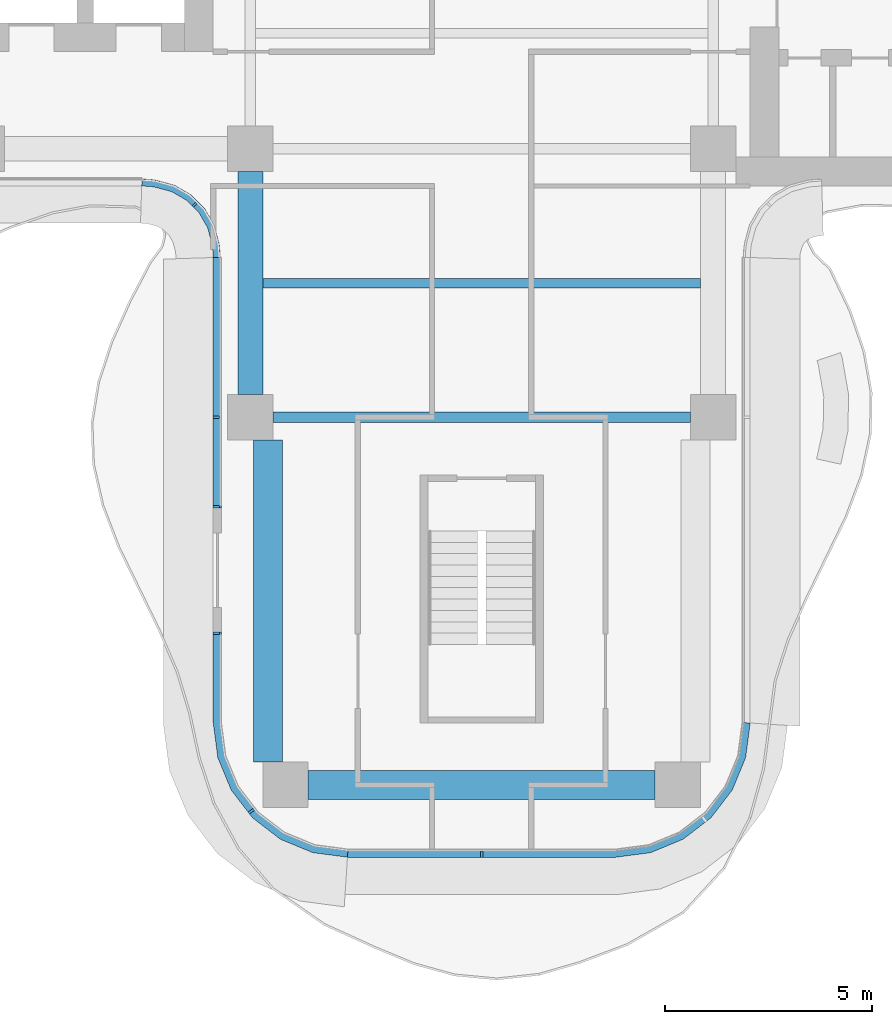
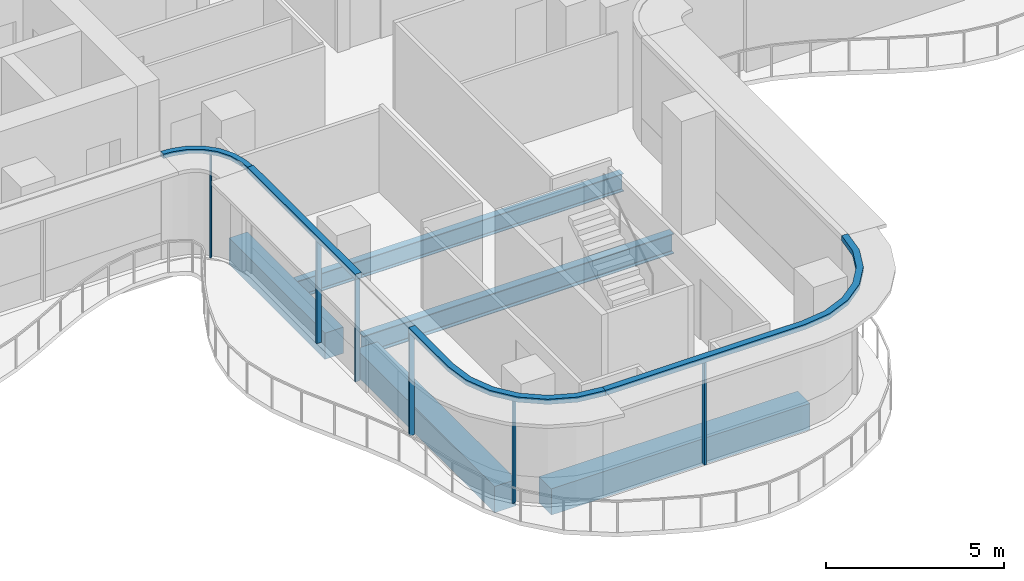
# One storey, part 2 of 16: 10 members, 5 beams, 4 elements without a shape of their own.
"""IFC4 building model written with IfcOpenShell, lengths in metres."""

from ifc_helpers import new_model, si_unit, direction, frame, origin, origin_2d, place, context, subcontext, project, spatial, polyline, rectangle, i_section, outline, extrude, source, transform, mapped, material, layer, layer_set, material_profile, profile_set, type_object, element, aggregate, save


model = new_model("IFC4")

# Units and contexts
model_context = context("Model", 3, precision=1e-05, world=origin(), true_north=direction((0.0, 1.0)))
body_context = subcontext(model_context, "Body", "Model", "MODEL_VIEW")
ifc_project = project(units=[si_unit("LENGTHUNIT", "METRE"), si_unit("AREAUNIT", "SQUARE_METRE"), si_unit("VOLUMEUNIT", "CUBIC_METRE"), si_unit("PLANEANGLEUNIT", "RADIAN"), si_unit("MASSUNIT", "GRAM", prefix="KILO")], contexts=[model_context])

# Site, building, storey
site_placement = place(None, origin())
site = spatial("IfcSite", under=ifc_project, at=site_placement, CompositionType="ELEMENT")
building_placement = place(site_placement, origin())
building = spatial("IfcBuilding", under=site, at=building_placement, Name="Trellis Farm Tower", CompositionType="ELEMENT")
storey_placement = place(building_placement, frame((0.0, 0.0, 248.0)))
storey = spatial("IfcBuildingStorey", under=building, at=storey_placement, Name="L55", CompositionType="ELEMENT", Elevation=248.0)

# Beams
ifc_material_1 = material(Name="Steel S355", Category="steel")
ifc_material_profile_1 = material_profile(ifc_material_1, i_section(OverallWidth=0.22900390625, OverallDepth=0.6123046875, WebThickness=0.011962890625, FlangeThickness=0.01953125, FilletRadius=0.0126953125, at=origin_2d()), Name="UB 610x229x125")
ifc_profile_set_1 = profile_set([ifc_material_profile_1], Name="Steel S355")
beam_type_1 = type_object("IfcBeamType", Name="UB 610x229x125 joist", PredefinedType="JOIST", material=ifc_profile_set_1)
shared_shape_1 = source(origin(), body_context, "Body", "SweptSolid", [
    extrude(i_section(OverallWidth=0.22900390625, OverallDepth=0.6123046875, WebThickness=0.011962890625, FlangeThickness=0.01953125, FilletRadius=0.0126953125, at=origin_2d()), origin(), (0.0, 0.0, 1.0), 10.60009765625),
])
beam_1_placement = place(storey_placement, frame((-5.300048828125, -8.85009765625, -0.506103515625), z_axis=(1.0, 0.0, 0.0), x_axis=(0.0, 1.0, 0.0)))
element("IfcBeam", 1, at=beam_1_placement, inside=storey, type_object=beam_type_1, Name="Floor beam", PredefinedType="JOIST", context=body_context, shape_type="MappedRepresentation", body=[
    mapped(shared_shape_1, transform((0.0, 0.0, 0.0))),
])
ifc_material_profile_2 = material_profile(ifc_material_1, i_section(OverallWidth=0.253662109375, OverallDepth=0.68359375, WebThickness=0.012451171875, FlangeThickness=0.021728515625, FilletRadius=0.01513671875, at=origin_2d()), Name="UB 686x254x140")
ifc_profile_set_2 = profile_set([ifc_material_profile_2], Name="Steel S355")
beam_type_2 = type_object("IfcBeamType", Name="UB 686x254x140", PredefinedType="BEAM", material=ifc_profile_set_2)
shared_shape_2 = source(origin(), body_context, "Body", "SweptSolid", [
    extrude(i_section(OverallWidth=0.253662109375, OverallDepth=0.68359375, WebThickness=0.012451171875, FlangeThickness=0.021728515625, FilletRadius=0.01513671875, at=origin_2d()), origin(), (0.0, 0.0, 1.0), 10.10009765625),
])
beam_2_placement = place(storey_placement, frame((-5.050048828125, -12.10009765625, -0.541748046875), z_axis=(1.0, 0.0, 0.0), x_axis=(0.0, 1.0, 0.0)))
element("IfcBeam", 2, at=beam_2_placement, inside=storey, type_object=beam_type_2, Name="Girder", PredefinedType="BEAM", context=body_context, shape_type="MappedRepresentation", body=[
    mapped(shared_shape_2, transform((0.0, 0.0, 0.0))),
])
ifc_material_2 = material(Name="Concrete C60/75", Category="concrete")
ifc_material_profile_3 = material_profile(ifc_material_2, rectangle(XDim=0.60009765625, YDim=0.89990234375, at=origin_2d()), Name="RC spandrel beam 600x900 C60/75")
ifc_profile_set_3 = profile_set([ifc_material_profile_3], Name="Concrete C60/75")
beam_type_3 = type_object("IfcBeamType", Name="RC spandrel beam 600x900 C60/75", PredefinedType="SPANDREL", material=ifc_profile_set_3)
shared_shape_3 = source(origin(), body_context, "Body", "SweptSolid", [
    extrude(rectangle(XDim=0.60009765625, YDim=0.89990234375, at=origin_2d()), origin(), (0.0, 0.0, 1.0), 5.400146484375),
])
beam_3_placement = place(storey_placement, frame((-5.60009765625, -11.550048828125, -0.64990234375), z_axis=(0.0, 1.0, 0.0), x_axis=(-1.0, 0.0, 0.0)))
element("IfcBeam", 3, at=beam_3_placement, inside=storey, type_object=beam_type_3, Name="Girder", PredefinedType="SPANDREL", context=body_context, shape_type="MappedRepresentation", body=[
    mapped(shared_shape_3, transform((0.0, 0.0, 0.0))),
])
ifc_material_profile_4 = material_profile(ifc_material_2, rectangle(XDim=0.699951171875, YDim=0.89990234375, at=origin_2d()), Name="RC spandrel beam 700x900 C60/75")
ifc_profile_set_4 = profile_set([ifc_material_profile_4], Name="Concrete C60/75")
beam_type_4 = type_object("IfcBeamType", Name="RC spandrel beam 700x900 C60/75", PredefinedType="SPANDREL", material=ifc_profile_set_4)
shared_shape_4 = source(origin(), body_context, "Body", "SweptSolid", [
    extrude(rectangle(XDim=0.699951171875, YDim=0.89990234375, at=origin_2d()), origin(), (0.0, 0.0, 1.0), 8.39990234375),
])
beam_4_placement = place(storey_placement, frame((-4.199951171875, -21.0, -0.64990234375), z_axis=(1.0, 0.0, 0.0), x_axis=(0.0, 1.0, 0.0)))
element("IfcBeam", 4, at=beam_4_placement, inside=storey, type_object=beam_type_4, Name="Girder", PredefinedType="SPANDREL", context=body_context, shape_type="MappedRepresentation", body=[
    mapped(shared_shape_4, transform((0.0, 0.0, 0.0))),
])
shared_shape_5 = source(origin(), body_context, "Body", "SweptSolid", [
    extrude(rectangle(XDim=0.699951171875, YDim=0.89990234375, at=origin_2d()), origin(), (0.0, 0.0, 1.0), 7.800048828125),
])
beam_5_placement = place(storey_placement, frame((-5.175048828125, -20.449951171875, -0.64990234375), z_axis=(0.0, 1.0, 0.0), x_axis=(-1.0, 0.0, 0.0)))
element("IfcBeam", 5, at=beam_5_placement, inside=storey, type_object=beam_type_4, Name="Girder", PredefinedType="SPANDREL", context=body_context, shape_type="MappedRepresentation", body=[
    mapped(shared_shape_5, transform((0.0, 0.0, 0.0))),
])

# Curtain wall, member
ifc_material_3 = material(Name="Aluminium and glass curtain wall", Category="aluminium")
ifc_layer_1 = layer(ifc_material_3, 0.166015625)
ifc_layer_set_1 = layer_set([ifc_layer_1], Name="WINTER GARDEN CURTAIN WALL CW3")
curtain_wall_type_1 = type_object("IfcCurtainWallType", Name="WINTER GARDEN CURTAIN WALL CW3", PredefinedType="NOTDEFINED", material=ifc_layer_set_1)
placement_1 = place(storey_placement, origin())
curtain_wall_1 = element("IfcCurtainWall", 6, at=placement_1, inside=storey, type_object=curtain_wall_type_1, Name="CW3 001", PredefinedType="NOTDEFINED")
ifc_material_4 = material(Name="Aluminium extrusion 6063-T6", Category="aluminium")
ifc_layer_2 = layer(ifc_material_4, 0.169921875)
ifc_layer_set_2 = layer_set([ifc_layer_2], Name="Aluminium extrusion 6063-T6")
member_type_1 = type_object("IfcMemberType", Name="CW3 TRANSOM 170x150", PredefinedType="USERDEFINED", material=ifc_layer_set_2)
shared_shape_6 = source(origin(), body_context, "Body", "SweptSolid", [
    extrude(outline(polyline([(-8.2314453125, -6.5), (-8.01953125, -6.513916015625), (-7.91552734375, -6.527587890625), (-7.508544921875, -6.63671875), (-7.144287109375, -6.846923828125), (-6.846923828125, -7.144287109375), (-6.63671875, -7.508544921875), (-6.527587890625, -7.91552734375), (-6.513916015625, -8.01953125), (-6.5, -8.2314453125), (-6.330078125, -8.225830078125), (-6.3447265625, -8.0029296875), (-6.360595703125, -7.88232421875), (-6.478271484375, -7.44287109375), (-6.7109375, -7.0400390625), (-7.0400390625, -6.7109375), (-7.44287109375, -6.478271484375), (-7.88232421875, -6.360595703125), (-8.0029296875, -6.3447265625), (-8.225830078125, -6.330078125), (-8.2314453125, -6.5)])), origin(), (0.0, 0.0, 1.0), 0.14990234375),
])
member_1_placement = place(storey_placement, frame((0.0, 0.0, 3.550048828125)))
member_1 = element("IfcMember", 7, at=member_1_placement, type_object=member_type_1, Name="TR3 001", ObjectType="TRANSOM", PredefinedType="USERDEFINED", context=body_context, shape_type="MappedRepresentation", body=[
    mapped(shared_shape_6, transform((0.0, 0.0, 0.0))),
])

# Curtain wall, members
ifc_layer_3 = layer(ifc_material_3, 0.18994140625)
ifc_layer_set_3 = layer_set([ifc_layer_3], Name="RIBBON CURTAIN WALL CW1")
curtain_wall_type_2 = type_object("IfcCurtainWallType", Name="RIBBON CURTAIN WALL CW1", PredefinedType="NOTDEFINED", material=ifc_layer_set_3)
curtain_wall_2 = element("IfcCurtainWall", 8, at=placement_1, inside=storey, type_object=curtain_wall_type_2, Name="CW1 002", PredefinedType="NOTDEFINED")
ifc_material_profile_5 = material_profile(ifc_material_4, rectangle(XDim=0.06005859375, YDim=0.14990234375, at=origin_2d()), Name="MULLION 60x150")
ifc_profile_set_5 = profile_set([ifc_material_profile_5], Name="Aluminium extrusion 6063-T6")
member_type_2 = type_object("IfcMemberType", Name="CW1 MULLION 60x150", PredefinedType="MULLION", material=ifc_profile_set_5)
shared_shape_7 = source(origin(), body_context, "Body", "SweptSolid", [
    extrude(rectangle(XDim=0.06005859375, YDim=0.14990234375, at=origin_2d()), origin(), (0.0, 0.0, 1.0), 3.52001953125),
])
member_2_placement = place(storey_placement, frame((-6.425048828125, -12.10009765625, 0.0), z_axis=(0.0, 0.0, 1.0), x_axis=(0.0, -1.0, 0.0)))
member_2 = element("IfcMember", 9, at=member_2_placement, type_object=member_type_2, Name="MU1 002-01", PredefinedType="MULLION", context=body_context, shape_type="MappedRepresentation", body=[
    mapped(shared_shape_7, transform((0.0, 0.0, 0.0))),
])
member_3_placement = place(storey_placement, frame((-6.425048828125, -14.27001953125, 0.0), z_axis=(0.0, 0.0, 1.0), x_axis=(0.0, -1.0, 0.0)))
member_3 = element("IfcMember", 10, at=member_3_placement, type_object=member_type_2, Name="MU1 002-02", PredefinedType="MULLION", context=body_context, shape_type="MappedRepresentation", body=[
    mapped(shared_shape_7, transform((0.0, 0.0, 0.0))),
])

curtain_wall_3 = element("IfcCurtainWall", 11, at=placement_1, inside=storey, type_object=curtain_wall_type_2, Name="CW1 003", PredefinedType="NOTDEFINED")
member_4_placement = place(storey_placement, frame((-6.425048828125, -17.330078125, 0.0), z_axis=(0.0, 0.0, 1.0), x_axis=(0.0, -1.0, 0.0)))
member_4 = element("IfcMember", 12, at=member_4_placement, type_object=member_type_2, Name="MU1 003-01", PredefinedType="MULLION", context=body_context, shape_type="MappedRepresentation", body=[
    mapped(shared_shape_7, transform((0.0, 0.0, 0.0))),
])
member_5_placement = place(storey_placement, frame((-5.578369140625, -21.635498046875, 0.0), z_axis=(0.0, 0.0, 1.0), x_axis=(0.608761429009, -0.793353340291, 0.0)))
member_5 = element("IfcMember", 13, at=member_5_placement, type_object=member_type_2, Name="MU1 003-02", PredefinedType="MULLION", context=body_context, shape_type="MappedRepresentation", body=[
    mapped(shared_shape_7, transform((0.0, 0.0, 0.0))),
])

# Curtain wall, member
curtain_wall_4 = element("IfcCurtainWall", 14, at=placement_1, inside=storey, type_object=curtain_wall_type_2, Name="CW1 004", PredefinedType="NOTDEFINED")
member_6_placement = place(storey_placement, frame((0.0, -22.675048828125, 0.0), z_axis=(0.0, 0.0, 1.0), x_axis=(1.0, 0.0, 0.0)))
member_6 = element("IfcMember", 15, at=member_6_placement, type_object=member_type_2, Name="MU1 004-01", PredefinedType="MULLION", context=body_context, shape_type="MappedRepresentation", body=[
    mapped(shared_shape_7, transform((0.0, 0.0, 0.0))),
])

# Member
ifc_material_profile_6 = material_profile(ifc_material_4, rectangle(XDim=0.050048828125, YDim=0.1201171875, at=origin_2d()), Name="MULLION 50x120")
ifc_profile_set_6 = profile_set([ifc_material_profile_6], Name="Aluminium extrusion 6063-T6")
member_type_3 = type_object("IfcMemberType", Name="CW3 MULLION 50x120", PredefinedType="MULLION", material=ifc_profile_set_6)
shared_shape_8 = source(origin(), body_context, "Body", "SweptSolid", [
    extrude(rectangle(XDim=0.050048828125, YDim=0.1201171875, at=origin_2d()), origin(), (0.0, 0.0, 1.0), 3.550048828125),
])
member_7_placement = place(storey_placement, frame((-6.953125, -6.953125, 0.0), z_axis=(0.0, 0.0, 1.0), x_axis=(0.707106781187, -0.707106781187, 0.0)))
member_7 = element("IfcMember", 16, at=member_7_placement, type_object=member_type_3, Name="MU3 001-01", PredefinedType="MULLION", context=body_context, shape_type="MappedRepresentation", body=[
    mapped(shared_shape_8, transform((0.0, 0.0, 0.0))),
])

aggregate(curtain_wall_1, [member_7, member_1])

ifc_layer_4 = layer(ifc_material_4, 0.199951171875)
ifc_layer_set_4 = layer_set([ifc_layer_4], Name="Aluminium extrusion 6063-T6")
member_type_4 = type_object("IfcMemberType", Name="CW1 TRANSOM 200x180", PredefinedType="USERDEFINED", material=ifc_layer_set_4)
shared_shape_9 = source(origin(), body_context, "Body", "SweptSolid", [
    extrude(outline(polyline([(-3.25, -22.75), (3.25, -22.75), (4.091064453125, -22.63916015625), (4.875, -22.314697265625), (5.548095703125, -21.798095703125), (6.064697265625, -21.125), (6.38916015625, -20.341064453125), (6.5, -19.5), (6.300048828125, -19.48681640625), (6.1943359375, -20.2890625), (5.889892578125, -21.024169921875), (5.405517578125, -21.655517578125), (4.774169921875, -22.139892578125), (4.0390625, -22.4443359375), (3.23681640625, -22.550048828125), (-3.23681640625, -22.550048828125), (-3.25, -22.75)])), origin(), (0.0, 0.0, 1.0), 0.179931640625),
])
placement_2 = place(storey_placement, frame((0.0, 0.0, 3.52001953125)))
member_8 = element("IfcMember", 17, at=placement_2, type_object=member_type_4, Name="TR1 004", ObjectType="TRANSOM", PredefinedType="USERDEFINED", context=body_context, shape_type="MappedRepresentation", body=[
    mapped(shared_shape_9, transform((0.0, 0.0, 0.0))),
])

aggregate(curtain_wall_4, [member_6, member_8])

shared_shape_10 = source(origin(), body_context, "Body", "SweptSolid", [
    extrude(outline(polyline([(-6.5, -8.2314453125), (-6.5, -14.300048828125), (-6.300048828125, -14.300048828125), (-6.300048828125, -8.224853515625), (-6.5, -8.2314453125)])), origin(), (0.0, 0.0, 1.0), 0.179931640625),
])
member_9 = element("IfcMember", 18, at=placement_2, type_object=member_type_4, Name="TR1 002", ObjectType="TRANSOM", PredefinedType="USERDEFINED", context=body_context, shape_type="MappedRepresentation", body=[
    mapped(shared_shape_10, transform((0.0, 0.0, 0.0))),
])

aggregate(curtain_wall_2, [member_2, member_3, member_9])

shared_shape_11 = source(origin(), body_context, "Body", "SweptSolid", [
    extrude(outline(polyline([(-6.5, -17.300048828125), (-6.5, -19.5), (-6.38916015625, -20.341064453125), (-6.064697265625, -21.125), (-5.548095703125, -21.798095703125), (-4.875, -22.314697265625), (-4.091064453125, -22.63916015625), (-3.25, -22.75), (-3.23681640625, -22.550048828125), (-4.0390625, -22.4443359375), (-4.774169921875, -22.139892578125), (-5.405517578125, -21.655517578125), (-5.889892578125, -21.024169921875), (-6.1943359375, -20.2890625), (-6.300048828125, -19.48681640625), (-6.300048828125, -17.300048828125), (-6.5, -17.300048828125)])), origin(), (0.0, 0.0, 1.0), 0.179931640625),
])
member_10 = element("IfcMember", 19, at=placement_2, type_object=member_type_4, Name="TR1 003", ObjectType="TRANSOM", PredefinedType="USERDEFINED", context=body_context, shape_type="MappedRepresentation", body=[
    mapped(shared_shape_11, transform((0.0, 0.0, 0.0))),
])

aggregate(curtain_wall_3, [member_4, member_5, member_10])

save(model, "model.ifc")
